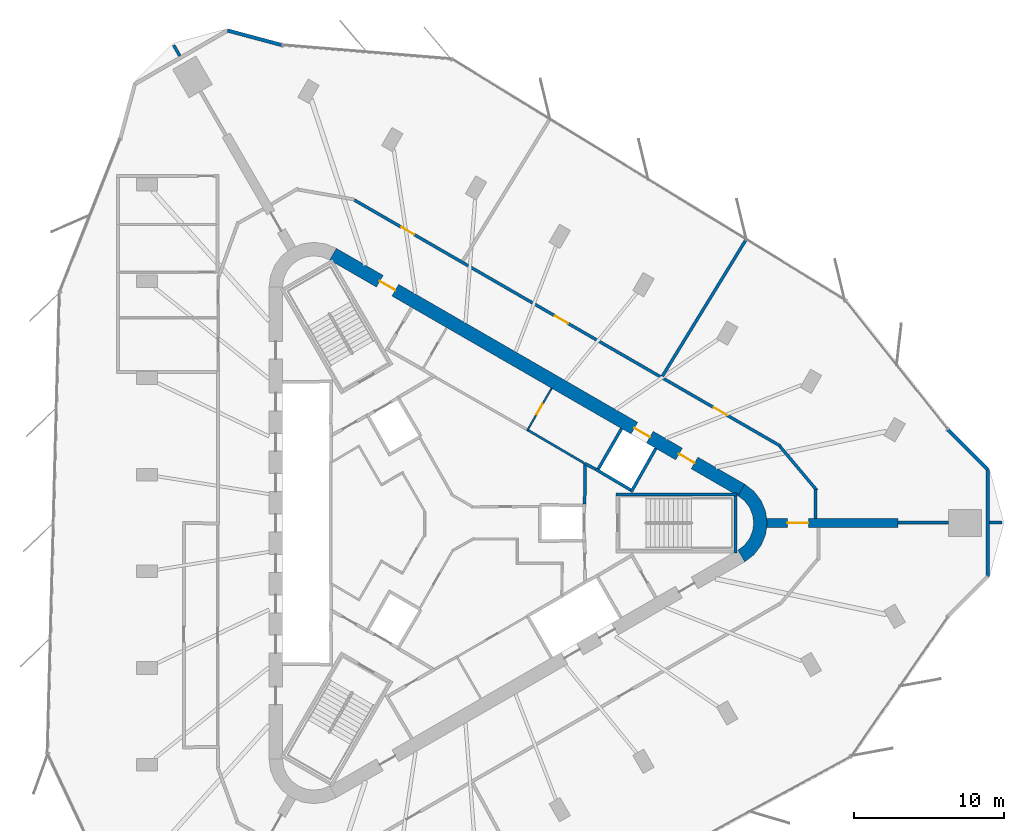
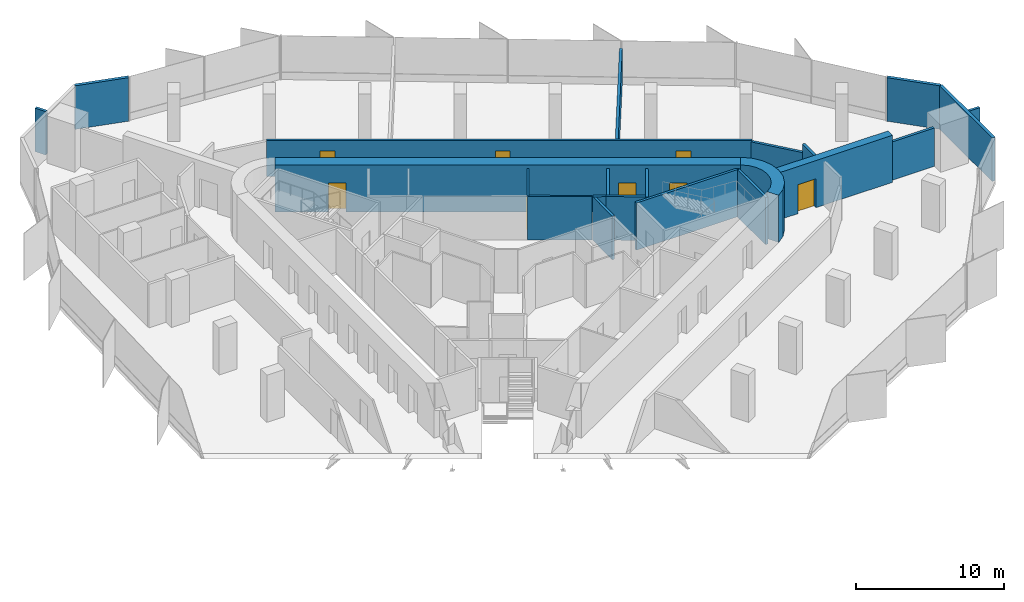
# One storey, part 11 of 13: 22 walls, 8 doors, 8 openings.
"""IFC4 building model written with IfcOpenShell, lengths in metres."""

from ifc_helpers import new_model, si_unit, direction, frame, frame_2d, origin, place, context, subcontext, project, spatial, polyline, rectangle, outline, extrude, material, layer, layer_set, type_object, element, fill, save


model = new_model("IFC4")

# Units and contexts
model_context = context("Model", 3, precision=1e-05, world=origin(), true_north=direction((0.0, 1.0)))
body_context = subcontext(model_context, "Body", "Model", "MODEL_VIEW")
ifc_project = project(units=[si_unit("LENGTHUNIT", "METRE"), si_unit("AREAUNIT", "SQUARE_METRE"), si_unit("VOLUMEUNIT", "CUBIC_METRE"), si_unit("PLANEANGLEUNIT", "RADIAN"), si_unit("MASSUNIT", "GRAM", prefix="KILO")], contexts=[model_context])

# Site, building, storey
site_placement = place(None, origin())
site = spatial("IfcSite", under=ifc_project, at=site_placement, CompositionType="ELEMENT")
building_placement = place(site_placement, origin())
building = spatial("IfcBuilding", under=site, at=building_placement, Name="Tanit Gate Tower", CompositionType="ELEMENT")
storey_placement = place(building_placement, frame((0.0, 0.0, 326.0)))
storey = spatial("IfcBuildingStorey", under=building, at=storey_placement, Name="L73", CompositionType="ELEMENT", Elevation=326.0)

# Wall, opening, door
ifc_material_1 = material(Name="Concrete C40/50", Category="concrete")
ifc_layer_1 = layer(ifc_material_1, 0.60009765625)
ifc_layer_set_1 = layer_set([ifc_layer_1], Name="BUTTRESS FIN 600 C40/50")
wall_type_1 = type_object("IfcWallType", Name="BUTTRESS FIN 600 C40/50", PredefinedType="SHEAR", material=ifc_layer_set_1)
wall_1_placement = place(storey_placement, frame((21.14990234375, 0.0, 0.0), z_axis=(0.0, 0.0, 1.0), x_axis=(1.0, 0.0, 0.0)))
wall_1 = element("IfcWall", 1, at=wall_1_placement, inside=storey, type_object=wall_type_1, Name="BUTTRESS FIN", PredefinedType="SHEAR", context=body_context, shape_type="SweptSolid", body=[
    extrude(rectangle(XDim=8.787353515625, YDim=0.60009765625, at=frame_2d((4.3935546875, 0.0))), origin(), (0.0, 0.0, 1.0), 3.89990234375),
])
opening_1_placement = place(wall_1_placement, frame((1.39990234375, 0.0, 0.0)))
opening_1 = element("IfcOpeningElement", 2, at=opening_1_placement, cuts=wall_1, Name="Opening P14-S20-F-E-1", PredefinedType="OPENING", context=body_context, shape_type="SweptSolid", body=[
    extrude(rectangle(XDim=1.39990234375, YDim=2.39990234375, at=frame_2d((0.699951171875, 1.199951171875))), frame((0.0, 0.31005859375, 0.0), z_axis=(0.0, -1.0, 0.0), x_axis=(1.0, 0.0, 0.0)), (0.0, 0.0, 1.0), 0.6201171875),
])
ifc_material_2 = material(Name="Timber door leaf", Category="wood")
door_type_1 = type_object("IfcDoorType", Name="INT-DOOR-FIN-PAIR-1400", OperationType="NOTDEFINED", PredefinedType="NOTDEFINED", material=ifc_material_2)
door_1_placement = place(opening_1_placement, origin())
door_1 = element("IfcDoor", 3, at=door_1_placement, inside=storey, type_object=door_type_1, Name="Door P14-S20-F-E-1", OperationType="DOUBLE_DOOR_SINGLE_SWING", OverallHeight=2.39990234375, OverallWidth=1.39990234375, PredefinedType="NOTDEFINED", context=body_context, shape_type="SweptSolid", body=[
    extrude(rectangle(XDim=1.39990234375, YDim=2.39990234375, at=frame_2d((0.699951171875, 1.199951171875))), frame((0.0, 0.02490234375, 0.0), z_axis=(0.0, -1.0, 0.0), x_axis=(1.0, 0.0, 0.0)), (0.0, 0.0, 1.0), 0.050048828125),
])
fill(opening_1, door_1)

# Wall, openings, doors
ifc_material_3 = material(Name="Concrete C40/50", Category="concrete")
ifc_layer_2 = layer(ifc_material_3, 0.89990234375)
ifc_layer_set_2 = layer_set([ifc_layer_2], Name="CORE WALL 900 C40/50")
wall_type_2 = type_object("IfcWallType", Name="CORE WALL 900 C40/50", PredefinedType="SHEAR", material=ifc_layer_set_2)
wall_2_placement = place(storey_placement, frame((19.47509765625, 2.20849609375, 0.0), z_axis=(0.0, 0.0, 1.0), x_axis=(-0.866028369851, 0.499994862586, 0.0)))
wall_2 = element("IfcWall", 4, at=wall_2_placement, inside=storey, type_object=wall_type_2, Name="CORE WALL", PredefinedType="SHEAR", context=body_context, shape_type="SweptSolid", body=[
    extrude(rectangle(XDim=31.523193359375, YDim=0.89990234375, at=frame_2d((15.76171875, 0.0))), origin(), (0.0, 0.0, 1.0), 3.89990234375),
])
opening_2_placement = place(wall_2_placement, frame((7.0615234375, 0.0, 0.0)))
opening_2 = element("IfcOpeningElement", 5, at=opening_2_placement, cuts=wall_2, Name="Opening LDHL8-S20", PredefinedType="OPENING", context=body_context, shape_type="SweptSolid", body=[
    extrude(rectangle(XDim=1.199951171875, YDim=2.39990234375, at=frame_2d((0.60009765625, 1.199951171875))), frame((0.0, 0.4599609375, 0.0), z_axis=(0.0, -1.0, 0.0), x_axis=(1.0, 0.0, 0.0)), (0.0, 0.0, 1.0), 0.919921875),
])
opening_3_placement = place(wall_2_placement, frame((3.611572265625, 0.0, 0.0)))
opening_3 = element("IfcOpeningElement", 6, at=opening_3_placement, cuts=wall_2, Name="Opening F12-S20-FL1", PredefinedType="OPENING", context=body_context, shape_type="SweptSolid", body=[
    extrude(rectangle(XDim=1.199951171875, YDim=2.39990234375, at=frame_2d((0.60009765625, 1.199951171875))), frame((0.0, 0.4599609375, 0.0), z_axis=(0.0, -1.0, 0.0), x_axis=(1.0, 0.0, 0.0)), (0.0, 0.0, 1.0), 0.919921875),
])
opening_4_placement = place(wall_2_placement, frame((26.711669921875, 0.0, 0.0)))
opening_4 = element("IfcOpeningElement", 7, at=opening_4_placement, cuts=wall_2, Name="Opening F12-S20-S2", PredefinedType="OPENING", context=body_context, shape_type="SweptSolid", body=[
    extrude(rectangle(XDim=1.199951171875, YDim=2.39990234375, at=frame_2d((0.60009765625, 1.199951171875))), frame((0.0, 0.4599609375, 0.0), z_axis=(0.0, -1.0, 0.0), x_axis=(1.0, 0.0, 0.0)), (0.0, 0.0, 1.0), 0.919921875),
])
ifc_material_4 = material(Name="Fire-rated steel door leaf", Category="steel")
door_type_2 = type_object("IfcDoorType", Name="INT-DOOR-FIRE-LOBBY-1200", OperationType="NOTDEFINED", PredefinedType="USERDEFINED", material=ifc_material_4)
door_2_placement = place(opening_3_placement, origin())
door_2 = element("IfcDoor", 8, at=door_2_placement, inside=storey, type_object=door_type_2, Name="Door F12-S20-FL1", ObjectType="FIRE DOOR", OperationType="SINGLE_SWING_LEFT", OverallHeight=2.39990234375, OverallWidth=1.199951171875, PredefinedType="USERDEFINED", context=body_context, shape_type="SweptSolid", body=[
    extrude(rectangle(XDim=1.199951171875, YDim=2.39990234375, at=frame_2d((0.60009765625, 1.199951171875))), frame((0.0, 0.02490234375, 0.0), z_axis=(0.0, -1.0, 0.0), x_axis=(1.0, 0.0, 0.0)), (0.0, 0.0, 1.0), 0.050048828125),
])
fill(opening_3, door_2)
door_3_placement = place(opening_4_placement, origin())
door_3 = element("IfcDoor", 9, at=door_3_placement, inside=storey, type_object=door_type_2, Name="Door F12-S20-S2", ObjectType="FIRE DOOR", OperationType="SINGLE_SWING_LEFT", OverallHeight=2.39990234375, OverallWidth=1.199951171875, PredefinedType="USERDEFINED", context=body_context, shape_type="SweptSolid", body=[
    extrude(rectangle(XDim=1.199951171875, YDim=2.39990234375, at=frame_2d((0.60009765625, 1.199951171875))), frame((0.0, 0.02490234375, 0.0), z_axis=(0.0, -1.0, 0.0), x_axis=(1.0, 0.0, 0.0)), (0.0, 0.0, 1.0), 0.050048828125),
])
fill(opening_4, door_3)
ifc_material_5 = material(Name="Stainless steel sliding door leaf", Category="steel")
door_type_3 = type_object("IfcDoorType", Name="INT-DOOR-LANDING-1200", OperationType="NOTDEFINED", PredefinedType="USERDEFINED", material=ifc_material_5)
door_4_placement = place(opening_2_placement, origin())
door_4 = element("IfcDoor", 10, at=door_4_placement, inside=storey, type_object=door_type_3, Name="Door LDHL8-S20", ObjectType="LANDING DOOR", OperationType="SLIDING_TO_LEFT", OverallHeight=2.39990234375, OverallWidth=1.199951171875, PredefinedType="USERDEFINED", context=body_context, shape_type="SweptSolid", body=[
    extrude(rectangle(XDim=1.199951171875, YDim=2.39990234375, at=frame_2d((0.60009765625, 1.199951171875))), frame((0.0, 0.02490234375, 0.0), z_axis=(0.0, -1.0, 0.0), x_axis=(1.0, 0.0, 0.0)), (0.0, 0.0, 1.0), 0.050048828125),
])
fill(opening_2, door_4)

# Walls
wall_3_placement = place(storey_placement, origin())
element("IfcWall", 11, at=wall_3_placement, inside=storey, type_object=wall_type_2, Name="CORE WALL CORNER", PredefinedType="SHEAR", context=body_context, shape_type="SweptSolid", body=[
    extrude(outline(polyline([(19.699951171875, -2.59814453125), (20.3212890625, -2.121337890625), (20.798095703125, -1.5), (21.097900390625, -0.776611328125), (21.199951171875, 0.0), (21.097900390625, 0.776611328125), (20.798095703125, 1.5), (20.3212890625, 2.121337890625), (19.699951171875, 2.59814453125), (19.25, 1.818603515625), (19.684814453125, 1.48486328125), (20.018798828125, 1.050048828125), (20.228515625, 0.54345703125), (20.300048828125, 0.0), (20.228515625, -0.54345703125), (20.018798828125, -1.050048828125), (19.684814453125, -1.48486328125), (19.25, -1.818603515625), (19.699951171875, -2.59814453125)])), origin(), (0.0, 0.0, 1.0), 3.89990234375),
])
ifc_material_6 = material(Name="Concrete C30/37 with bronze anodised aluminium cladding", Category="concrete")
ifc_layer_3 = layer(ifc_material_6, 0.239990234375)
ifc_layer_set_3 = layer_set([ifc_layer_3], Name="Facade wall bronze clad 240")
wall_type_3 = type_object("IfcWallType", Name="Facade wall bronze clad 240", PredefinedType="SOLIDWALL", material=ifc_layer_set_3)
wall_4_placement = place(storey_placement, frame((-11.245849609375, 31.95458984375, 0.0), z_axis=(0.0, 0.0, 1.0), x_axis=(-0.965926566302, 0.258816283321, 0.0)))
element("IfcWall", 12, at=wall_4_placement, inside=storey, type_object=wall_type_3, Name="Bronze-clad facade wall L73 NW.arc1", PredefinedType="SOLIDWALL", context=body_context, shape_type="SweptSolid", body=[
    extrude(rectangle(XDim=3.75341796875, YDim=0.239990234375, at=frame_2d((1.876708984375, 0.0))), origin(), (0.0, 0.0, 1.0), 3.60009765625),
])
wall_5_placement = place(storey_placement, frame((35.950439453125, -3.583984375, 0.0), z_axis=(0.0, 0.0, 1.0), x_axis=(0.0, 1.0, 0.0)))
element("IfcWall", 13, at=wall_5_placement, inside=storey, type_object=wall_type_3, Name="Bronze-clad facade wall L73 E.arc2", PredefinedType="SOLIDWALL", context=body_context, shape_type="SweptSolid", body=[
    extrude(rectangle(XDim=7.16796875, YDim=0.239990234375, at=frame_2d((3.583984375, 0.0))), origin(), (0.0, 0.0, 1.0), 3.60009765625),
])
wall_6_placement = place(storey_placement, frame((35.950439453125, 3.583984375, 0.0), z_axis=(0.0, 0.0, 1.0), x_axis=(-0.707074223377, 0.707139337497, 0.0)))
element("IfcWall", 14, at=wall_6_placement, inside=storey, type_object=wall_type_3, Name="Bronze-clad facade wall L73 E.arc3", PredefinedType="SOLIDWALL", context=body_context, shape_type="SweptSolid", body=[
    extrude(rectangle(XDim=3.74951171875, YDim=0.239990234375, at=frame_2d((1.874755859375, 0.0))), origin(), (0.0, 0.0, 1.0), 3.60009765625),
])
ifc_material_7 = material(Name="Fire-rated gypsum board partition")
ifc_layer_4 = layer(ifc_material_7, 0.199951171875)
ifc_layer_set_4 = layer_set([ifc_layer_4], Name="INT-WALL-COMPARTMENT")
wall_type_4 = type_object("IfcWallType", Name="INT-WALL-COMPARTMENT", PredefinedType="PARTITIONING", material=ifc_layer_set_4)
wall_7_placement = place(storey_placement, frame((8.97412109375, 3.998779296875, 0.0), z_axis=(0.0, 0.0, 1.0), x_axis=(0.880917147855, -0.473270513147, 0.0)))
element("IfcWall", 15, at=wall_7_placement, inside=storey, type_object=wall_type_4, Name="Wall Compartment W045", PredefinedType="PARTITIONING", context=body_context, shape_type="SweptSolid", body=[
    extrude(rectangle(XDim=0.8779296875, YDim=0.199951171875, at=frame_2d((0.43896484375, 0.0))), origin(), (0.0, 0.0, 1.0), 3.60009765625),
])
wall_8_placement = place(storey_placement, frame((9.0009765625, 1.27001953125, 0.0), z_axis=(0.0, 0.0, 1.0), x_axis=(0.01074821465, 0.999942236273, 0.0)))
element("IfcWall", 16, at=wall_8_placement, inside=storey, type_object=wall_type_4, Name="Wall Compartment W059", PredefinedType="PARTITIONING", context=body_context, shape_type="SweptSolid", body=[
    extrude(rectangle(XDim=2.725830078125, YDim=0.199951171875, at=frame_2d((1.36279296875, 0.0))), origin(), (0.0, 0.0, 1.0), 3.60009765625),
])

# Wall, openings, doors
wall_9_placement = place(storey_placement, frame((22.074462890625, 5.153076171875, 0.0), z_axis=(0.0, 0.0, 1.0), x_axis=(-0.866023485483, 0.500003322581, 0.0)))
wall_9 = element("IfcWall", 17, at=wall_9_placement, inside=storey, type_object=wall_type_4, Name="Wall Compartment W099", PredefinedType="PARTITIONING", context=body_context, shape_type="SweptSolid", body=[
    extrude(rectangle(XDim=32.881103515625, YDim=0.199951171875, at=frame_2d((16.4404296875, 0.0))), origin(), (0.0, 0.0, 1.0), 2.969970703125),
])
opening_5_placement = place(wall_9_placement, frame((28.2490234375, 0.0, 0.0)))
opening_5 = element("IfcOpeningElement", 18, at=opening_5_placement, cuts=wall_9, Name="Opening F10-S20-24", PredefinedType="OPENING", context=body_context, shape_type="SweptSolid", body=[
    extrude(rectangle(XDim=1.0, YDim=2.10009765625, at=frame_2d((0.5, 1.050048828125))), frame((0.0, 0.10986328125, 0.0), z_axis=(0.0, -1.0, 0.0), x_axis=(1.0, 0.0, 0.0)), (0.0, 0.0, 1.0), 0.219970703125),
])
opening_6_placement = place(wall_9_placement, frame((16.386962890625, 0.0, 0.0)))
opening_6 = element("IfcOpeningElement", 19, at=opening_6_placement, cuts=wall_9, Name="Opening F10-S20-25", PredefinedType="OPENING", context=body_context, shape_type="SweptSolid", body=[
    extrude(rectangle(XDim=1.0, YDim=2.10009765625, at=frame_2d((0.5, 1.050048828125))), frame((0.0, 0.10986328125, 0.0), z_axis=(0.0, -1.0, 0.0), x_axis=(1.0, 0.0, 0.0)), (0.0, 0.0, 1.0), 0.219970703125),
])
opening_7_placement = place(wall_9_placement, frame((4.12841796875, 0.0, 0.0)))
opening_7 = element("IfcOpeningElement", 20, at=opening_7_placement, cuts=wall_9, Name="Opening F10-S20-26", PredefinedType="OPENING", context=body_context, shape_type="SweptSolid", body=[
    extrude(rectangle(XDim=1.0, YDim=2.10009765625, at=frame_2d((0.5, 1.050048828125))), frame((0.0, 0.10986328125, 0.0), z_axis=(0.0, -1.0, 0.0), x_axis=(1.0, 0.0, 0.0)), (0.0, 0.0, 1.0), 0.219970703125),
])
ifc_material_8 = material(Name="Fire-rated steel door leaf", Category="steel")
door_type_4 = type_object("IfcDoorType", Name="INT-DOOR-FIRE-1000", OperationType="NOTDEFINED", PredefinedType="USERDEFINED", material=ifc_material_8)
door_5_placement = place(opening_5_placement, origin())
door_5 = element("IfcDoor", 21, at=door_5_placement, inside=storey, type_object=door_type_4, Name="Door F10-S20-24", ObjectType="FIRE DOOR", OperationType="SINGLE_SWING_RIGHT", OverallHeight=2.10009765625, OverallWidth=1.0, PredefinedType="USERDEFINED", context=body_context, shape_type="SweptSolid", body=[
    extrude(rectangle(XDim=1.0, YDim=2.10009765625, at=frame_2d((0.5, 1.050048828125))), frame((0.0, 0.02490234375, 0.0), z_axis=(0.0, -1.0, 0.0), x_axis=(1.0, 0.0, 0.0)), (0.0, 0.0, 1.0), 0.050048828125),
])
fill(opening_5, door_5)
door_6_placement = place(opening_6_placement, origin())
door_6 = element("IfcDoor", 22, at=door_6_placement, inside=storey, type_object=door_type_4, Name="Door F10-S20-25", ObjectType="FIRE DOOR", OperationType="SINGLE_SWING_RIGHT", OverallHeight=2.10009765625, OverallWidth=1.0, PredefinedType="USERDEFINED", context=body_context, shape_type="SweptSolid", body=[
    extrude(rectangle(XDim=1.0, YDim=2.10009765625, at=frame_2d((0.5, 1.050048828125))), frame((0.0, 0.02490234375, 0.0), z_axis=(0.0, -1.0, 0.0), x_axis=(1.0, 0.0, 0.0)), (0.0, 0.0, 1.0), 0.050048828125),
])
fill(opening_6, door_6)
door_7_placement = place(opening_7_placement, origin())
door_7 = element("IfcDoor", 23, at=door_7_placement, inside=storey, type_object=door_type_4, Name="Door F10-S20-26", ObjectType="FIRE DOOR", OperationType="SINGLE_SWING_RIGHT", OverallHeight=2.10009765625, OverallWidth=1.0, PredefinedType="USERDEFINED", context=body_context, shape_type="SweptSolid", body=[
    extrude(rectangle(XDim=1.0, YDim=2.10009765625, at=frame_2d((0.5, 1.050048828125))), frame((0.0, 0.02490234375, 0.0), z_axis=(0.0, -1.0, 0.0), x_axis=(1.0, 0.0, 0.0)), (0.0, 0.0, 1.0), 0.050048828125),
])
fill(opening_7, door_7)

# Walls
wall_10_placement = place(storey_placement, frame((24.520751953125, 2.1845703125, 0.0), z_axis=(0.0, 0.0, 1.0), x_axis=(-0.642781993054, 0.766049155998, 0.0)))
element("IfcWall", 24, at=wall_10_placement, inside=storey, type_object=wall_type_4, Name="Wall Compartment W100", PredefinedType="PARTITIONING", context=body_context, shape_type="SweptSolid", body=[
    extrude(rectangle(XDim=3.84033203125, YDim=0.199951171875, at=frame_2d((1.920166015625, 0.0))), origin(), (0.0, 0.0, 1.0), 2.8798828125),
])
wall_11_placement = place(storey_placement, frame((24.420166015625, 0.300048828125, 0.0), z_axis=(0.0, 0.0, 1.0), x_axis=(0.013193472226, 0.999912962358, 0.0)))
element("IfcWall", 25, at=wall_11_placement, inside=storey, type_object=wall_type_4, Name="Wall Compartment W101", PredefinedType="PARTITIONING", context=body_context, shape_type="SweptSolid", body=[
    extrude(rectangle(XDim=1.924560546875, YDim=0.199951171875, at=frame_2d((0.96240234375, 0.0))), origin(), (0.0, 0.0, 1.0), 3.60009765625),
])
wall_12_placement = place(storey_placement, frame((-18.061279296875, 31.222900390625, 0.0), z_axis=(0.0, 0.0, 1.0), x_axis=(-0.499798627271, 0.866141635172, 0.0)))
element("IfcWall", 26, at=wall_12_placement, inside=storey, type_object=wall_type_4, Name="Wall Compartment W108", PredefinedType="PARTITIONING", context=body_context, shape_type="SweptSolid", body=[
    extrude(rectangle(XDim=0.832275390625, YDim=0.199951171875, at=frame_2d((0.416015625, 0.0))), origin(), (0.0, 0.0, 1.0), 3.60009765625),
])
wall_13_placement = place(storey_placement, frame((19.794677734375, 18.95458984375, 0.0), z_axis=(0.0, 0.0, 1.0), x_axis=(-0.522384145162, -0.852710270187, 0.0)))
element("IfcWall", 27, at=wall_13_placement, inside=storey, type_object=wall_type_4, Name="Wall Compartment W121", PredefinedType="PARTITIONING", context=body_context, shape_type="SweptSolid", body=[
    extrude(rectangle(XDim=10.716064453125, YDim=0.199951171875, at=frame_2d((5.35791015625, 0.0))), origin(), (0.0, 0.0, 1.0), 2.969970703125),
])
wall_14_placement = place(storey_placement, frame((33.3349609375, 0.030029296875, 0.0), z_axis=(0.0, 0.0, 1.0), x_axis=(-0.999994052186, -0.003448998671, 0.0)))
element("IfcWall", 28, at=wall_14_placement, inside=storey, type_object=wall_type_4, Name="Wall Compartment W122", PredefinedType="PARTITIONING", context=body_context, shape_type="SweptSolid", body=[
    extrude(rectangle(XDim=3.397705078125, YDim=0.199951171875, at=frame_2d((1.69873046875, 0.0))), origin(), (0.0, 0.0, 1.0), 3.169921875),
])
wall_15_placement = place(storey_placement, frame((36.90283203125, 0.030029296875, 0.0), z_axis=(0.0, 0.0, 1.0), x_axis=(-1.0, 0.0, 0.0)))
element("IfcWall", 29, at=wall_15_placement, inside=storey, type_object=wall_type_4, Name="Wall Compartment W123", PredefinedType="PARTITIONING", context=body_context, shape_type="SweptSolid", body=[
    extrude(rectangle(XDim=0.832275390625, YDim=0.199951171875, at=frame_2d((0.416015625, 0.0))), origin(), (0.0, 0.0, 1.0), 3.60009765625),
])

# Wall, opening, door
ifc_material_9 = material(Name="Gypsum board partition")
ifc_layer_5 = layer(ifc_material_9, 0.1201171875)
ifc_layer_set_5 = layer_set([ifc_layer_5], Name="INT-WALL-PARTITION")
wall_type_5 = type_object("IfcWallType", Name="INT-WALL-PARTITION", PredefinedType="PARTITIONING", material=ifc_layer_set_5)
wall_16_placement = place(storey_placement, frame((5.170166015625, 6.19482421875, 0.0), z_axis=(0.0, 0.0, 1.0), x_axis=(0.499984717929, 0.866034226713, 0.0)))
wall_16 = element("IfcWall", 30, at=wall_16_placement, inside=storey, type_object=wall_type_5, Name="Wall Partition W044", PredefinedType="PARTITIONING", context=body_context, shape_type="SweptSolid", body=[
    extrude(rectangle(XDim=3.25, YDim=0.1201171875, at=frame_2d((1.625, 0.0))), origin(), (0.0, 0.0, 1.0), 3.60009765625),
])
opening_8_placement = place(wall_16_placement, frame((1.22509765625, 0.0, 0.0)))
opening_8 = element("IfcOpeningElement", 31, at=opening_8_placement, cuts=wall_16, Name="Opening R08-S20-13", PredefinedType="OPENING", context=body_context, shape_type="SweptSolid", body=[
    extrude(rectangle(XDim=0.800048828125, YDim=2.10009765625, at=frame_2d((0.39990234375, 1.050048828125))), frame((0.0, 0.070068359375, 0.0), z_axis=(0.0, -1.0, 0.0), x_axis=(1.0, 0.0, 0.0)), (0.0, 0.0, 1.0), 0.14013671875),
])
ifc_material_10 = material(Name="Timber door leaf", Category="wood")
door_type_5 = type_object("IfcDoorType", Name="INT-DOOR-RISER-800", OperationType="NOTDEFINED", PredefinedType="USERDEFINED", material=ifc_material_10)
door_8_placement = place(opening_8_placement, origin())
door_8 = element("IfcDoor", 32, at=door_8_placement, inside=storey, type_object=door_type_5, Name="Door R08-S20-13", ObjectType="FIRE DOOR", OperationType="SINGLE_SWING_RIGHT", OverallHeight=2.10009765625, OverallWidth=0.800048828125, PredefinedType="USERDEFINED", context=body_context, shape_type="SweptSolid", body=[
    extrude(rectangle(XDim=0.800048828125, YDim=2.10009765625, at=frame_2d((0.39990234375, 1.050048828125))), frame((0.0, 0.02490234375, 0.0), z_axis=(0.0, -1.0, 0.0), x_axis=(1.0, 0.0, 0.0)), (0.0, 0.0, 1.0), 0.050048828125),
])
fill(opening_8, door_8)

# Walls
ifc_material_11 = material(Name="Fire-rated gypsum board partition")
ifc_layer_6 = layer(ifc_material_11, 0.14990234375)
ifc_layer_set_6 = layer_set([ifc_layer_6], Name="INT-WALL-RISER")
wall_type_6 = type_object("IfcWallType", Name="INT-WALL-RISER", PredefinedType="PLUMBINGWALL", material=ifc_layer_set_6)
wall_17_placement = place(storey_placement, frame((8.9306640625, 4.024658203125, 0.0), z_axis=(0.0, 0.0, 1.0), x_axis=(-0.862666884027, 0.505772525157, 0.0)))
element("IfcWall", 33, at=wall_17_placement, inside=storey, type_object=wall_type_6, Name="Wall Riser W046", PredefinedType="PLUMBINGWALL", context=body_context, shape_type="SweptSolid", body=[
    extrude(rectangle(XDim=4.371826171875, YDim=0.14990234375, at=frame_2d((2.18603515625, 0.0))), origin(), (0.0, 0.0, 1.0), 3.60009765625),
])
ifc_material_12 = material(Name="Gypsum shaft wall system")
ifc_layer_7 = layer(ifc_material_12, 0.199951171875)
ifc_layer_set_7 = layer_set([ifc_layer_7], Name="INT-WALL-SHAFT")
wall_type_7 = type_object("IfcWallType", Name="INT-WALL-SHAFT", PredefinedType="PLUMBINGWALL", material=ifc_layer_set_7)
wall_18_placement = place(storey_placement, frame((9.8466796875, 3.494873046875, 0.0), z_axis=(0.0, 0.0, 1.0), x_axis=(0.499984717929, 0.866034226713, 0.0)))
element("IfcWall", 34, at=wall_18_placement, inside=storey, type_object=wall_type_7, Name="Wall Shaft W012", PredefinedType="PLUMBINGWALL", context=body_context, shape_type="SweptSolid", body=[
    extrude(rectangle(XDim=3.25, YDim=0.199951171875, at=frame_2d((1.625, 0.0))), origin(), (0.0, 0.0, 1.0), 3.60009765625),
])
wall_19_placement = place(storey_placement, frame((12.10986328125, 2.07275390625, 0.0), z_axis=(0.0, 0.0, 1.0), x_axis=(0.49196600604, 0.870614408852, 0.0)))
element("IfcWall", 35, at=wall_19_placement, inside=storey, type_object=wall_type_7, Name="Wall Shaft W013", PredefinedType="PLUMBINGWALL", context=body_context, shape_type="SweptSolid", body=[
    extrude(rectangle(XDim=3.35009765625, YDim=0.199951171875, at=frame_2d((1.675048828125, 0.0))), origin(), (0.0, 0.0, 1.0), 3.60009765625),
])
wall_20_placement = place(storey_placement, frame((12.072998046875, 2.2109375, 0.0), z_axis=(0.0, 0.0, 1.0), x_axis=(-0.860414880418, 0.509594185166, 0.0)))
element("IfcWall", 36, at=wall_20_placement, inside=storey, type_object=wall_type_7, Name="Wall Shaft W014", PredefinedType="PLUMBINGWALL", context=body_context, shape_type="SweptSolid", body=[
    extrude(rectangle(XDim=2.7001953125, YDim=0.199951171875, at=frame_2d((1.35009765625, 0.0))), origin(), (0.0, 0.0, 1.0), 3.60009765625),
])
ifc_material_13 = material(Name="Concrete C40/50", Category="concrete")
ifc_layer_8 = layer(ifc_material_13, 0.199951171875)
ifc_layer_set_8 = layer_set([ifc_layer_8], Name="INT-WALL-STAIR")
wall_type_8 = type_object("IfcWallType", Name="INT-WALL-STAIR", PredefinedType="SHEAR", material=ifc_layer_set_8)
wall_21_placement = place(storey_placement, frame((19.199951171875, 1.89990234375, -0.300048828125), z_axis=(0.0, 0.0, 1.0), x_axis=(-1.0, 0.0, 0.0)))
element("IfcWall", 37, at=wall_21_placement, inside=storey, type_object=wall_type_8, Name="Wall Stair W020", PredefinedType="SHEAR", context=body_context, shape_type="SweptSolid", body=[
    extrude(rectangle(XDim=8.099853515625, YDim=0.199951171875, at=frame_2d((4.0498046875, 0.0))), origin(), (0.0, 0.0, 1.0), 3.900146484375),
])
wall_22_placement = place(storey_placement, frame((19.10009765625, -2.0, -0.300048828125), z_axis=(0.0, 0.0, 1.0), x_axis=(0.0, 1.0, 0.0)))
element("IfcWall", 38, at=wall_22_placement, inside=storey, type_object=wall_type_8, Name="Wall Stair W021", PredefinedType="SHEAR", context=body_context, shape_type="SweptSolid", body=[
    extrude(rectangle(XDim=3.800048828125, YDim=0.199951171875, at=frame_2d((1.89990234375, 0.0))), origin(), (0.0, 0.0, 1.0), 3.900146484375),
])

save(model, "model.ifc")
